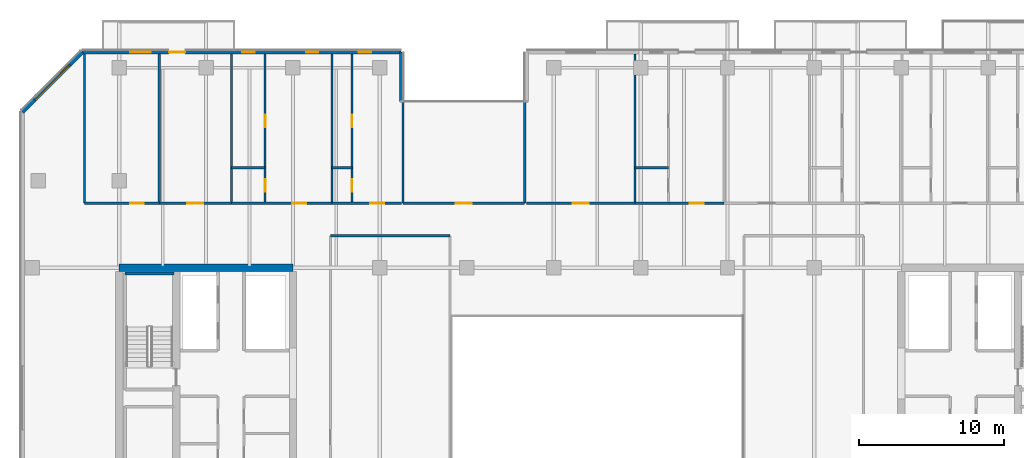
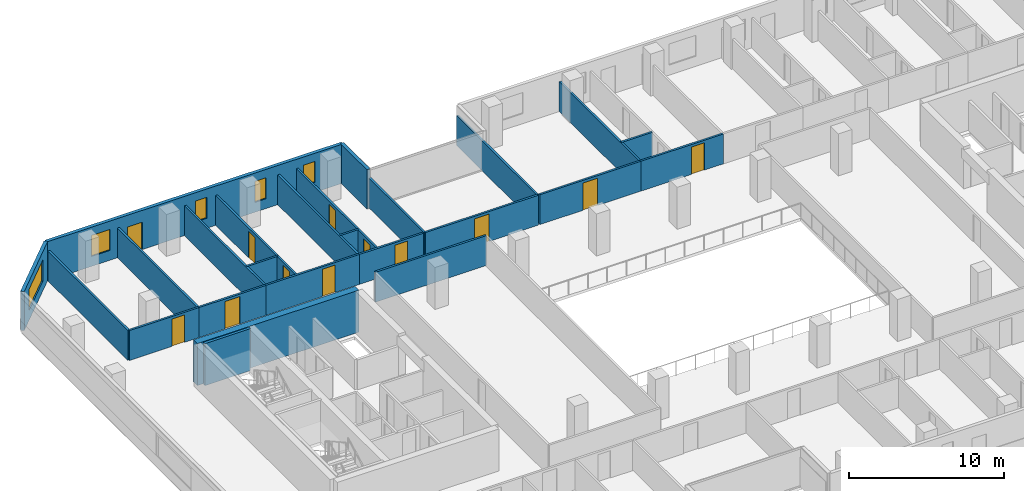
# One storey, part 13 of 23: 25 walls, 12 doors, 5 windows, 17 openings.
"""IFC4 building model written with IfcOpenShell, lengths in metres."""

from ifc_helpers import new_model, si_unit, direction, frame, frame_2d, origin, place, context, subcontext, project, spatial, rectangle, extrude, material, layer, layer_set, type_object, element, fill, save


model = new_model("IFC4")

# Units and contexts
model_context = context("Model", 3, precision=1e-05, world=origin(), true_north=direction((0.0, 1.0)))
body_context = subcontext(model_context, "Body", "Model", "MODEL_VIEW")
ifc_project = project(units=[si_unit("LENGTHUNIT", "METRE"), si_unit("AREAUNIT", "SQUARE_METRE"), si_unit("VOLUMEUNIT", "CUBIC_METRE"), si_unit("PLANEANGLEUNIT", "RADIAN"), si_unit("MASSUNIT", "GRAM", prefix="KILO")], contexts=[model_context])

# Site, building, storey
site_placement = place(None, origin())
site = spatial("IfcSite", under=ifc_project, at=site_placement, CompositionType="ELEMENT")
building_placement = place(site_placement, origin())
building = spatial("IfcBuilding", under=site, at=building_placement, Name="Tanjung Sevakor Pilgrim Tower", CompositionType="ELEMENT")
storey_placement = place(building_placement, frame((0.0, 0.0, 98.669921875)))
storey = spatial("IfcBuildingStorey", under=building, at=storey_placement, Name="L27", CompositionType="ELEMENT", Elevation=98.669921875)

# Walls
ifc_material_1 = material(Name="Concrete C60/75", Category="concrete")
ifc_layer_1 = layer(ifc_material_1, 0.5)
ifc_layer_set_1 = layer_set([ifc_layer_1], Name="WALL-CW-500")
wall_type_1 = type_object("IfcWallType", Name="WALL-CW-500", PredefinedType="SHEAR", material=ifc_layer_set_1)
wall_1_placement = place(storey_placement, frame((36.0, 42.60009765625, 0.0), z_axis=(0.0, 0.0, 1.0), x_axis=(-1.0, 0.0, 0.0)))
element("IfcWall", 1, at=wall_1_placement, inside=storey, type_object=wall_type_1, Name="L27 W Core North Shear Wall", PredefinedType="SHEAR", context=body_context, shape_type="SweptSolid", body=[
    extrude(rectangle(XDim=12.0, YDim=0.5, at=frame_2d((6.0, 0.0))), origin(), (0.0, 0.0, 1.0), 3.300048828125),
])
ifc_material_2 = material(Name="Concrete C40/50", Category="concrete")
ifc_layer_2 = layer(ifc_material_2, 0.14990234375)
ifc_layer_set_2 = layer_set([ifc_layer_2], Name="WT-COMP-150")
wall_type_2 = type_object("IfcWallType", Name="WT-COMP-150", PredefinedType="SOLIDWALL", material=ifc_layer_set_2)
wall_2_placement = place(storey_placement, frame((38.60009765625, 44.800048828125, 0.0), z_axis=(0.0, 0.0, 1.0), x_axis=(1.0, 0.0, 0.0)))
element("IfcWall", 2, at=wall_2_placement, inside=storey, type_object=wall_type_2, Name="L27 Partition IW-L27-026", PredefinedType="SOLIDWALL", context=body_context, shape_type="SweptSolid", body=[
    extrude(rectangle(XDim=8.25, YDim=0.14990234375, at=frame_2d((4.125, 0.0))), origin(), (0.0, 0.0, 1.0), 2.35009765625),
])

# Wall, opening, door
wall_3_placement = place(storey_placement, frame((43.60009765625, 47.050048828125, 0.0), z_axis=(0.0, 0.0, 1.0), x_axis=(1.0, 0.0, 0.0)))
wall_3 = element("IfcWall", 3, at=wall_3_placement, inside=storey, type_object=wall_type_2, Name="L27 Partition IW-L27-044", PredefinedType="SOLIDWALL", context=body_context, shape_type="SweptSolid", body=[
    extrude(rectangle(XDim=8.39990234375, YDim=0.14990234375, at=frame_2d((4.199951171875, 0.0))), origin(), (0.0, 0.0, 1.0), 2.35009765625),
])
opening_1_placement = place(wall_3_placement, frame((3.64990234375, 0.0, 0.0)))
opening_1 = element("IfcOpeningElement", 4, at=opening_1_placement, cuts=wall_3, Name="Opening ID-RM2", PredefinedType="OPENING", context=body_context, shape_type="SweptSolid", body=[
    extrude(rectangle(XDim=1.10009765625, YDim=2.14990234375, at=frame_2d((0.550048828125, 1.074951171875))), frame((0.0, 0.0849609375, 0.0), z_axis=(0.0, -1.0, 0.0), x_axis=(1.0, 0.0, 0.0)), (0.0, 0.0, 1.0), 0.169921875),
])
ifc_material_3 = material(Name="Hardwood Timber", Category="wood")
door_type_1 = type_object("IfcDoorType", Name="DT-INT-1100", OperationType="NOTDEFINED", PredefinedType="DOOR", material=ifc_material_3)
door_1_placement = place(opening_1_placement, origin())
door_1 = element("IfcDoor", 5, at=door_1_placement, inside=storey, type_object=door_type_1, Name="L27 North Cleft Prayer Room Door", OperationType="SINGLE_SWING_RIGHT", OverallHeight=2.14990234375, OverallWidth=1.10009765625, PredefinedType="DOOR", context=body_context, shape_type="SweptSolid", body=[
    extrude(rectangle(XDim=1.10009765625, YDim=2.14990234375, at=frame_2d((0.550048828125, 1.074951171875))), frame((0.0, 0.02490234375, 0.0), z_axis=(0.0, -1.0, 0.0), x_axis=(1.0, 0.0, 0.0)), (0.0, 0.0, 1.0), 0.050048828125),
])
fill(opening_1, door_1)

# Walls
for number, where, z_axis, x_axis, name in (
    (6, (43.60009765625, 47.050048828125, 0.0), (0.0, 0.0, 1.0), (0.0, 1.0, 0.0), "L27 Partition IW-L27-045"),
    (7, (52.0, 47.050048828125, 0.0), (0.0, 0.0, 1.0), (0.0, 1.0, 0.0), "L27 Partition IW-L27-046"),
    (8, (21.60009765625, 47.050048828125, 0.0), (0.0, 0.0, 1.0), (0.0, 1.0, 0.0), "L27 Partition IW-L27-080"),
    (9, (26.770751953125, 47.050048828125, 0.0), (0.0, 0.0, 1.0), (0.0, 1.0, 0.0), "L27 Partition IW-L27-081"),
):
    element("IfcWall", number, at=place(storey_placement, frame(where, z_axis=z_axis, x_axis=x_axis)), inside=storey, type_object=wall_type_2, Name=name, PredefinedType="SOLIDWALL", context=body_context, shape_type="SweptSolid", body=[
        extrude(rectangle(XDim=10.300048828125, YDim=0.14990234375, at=frame_2d((5.14990234375, 0.0))), origin(), (0.0, 0.0, 1.0), 2.35009765625),
    ])

# Wall, opening, door
wall_4_placement = place(storey_placement, frame((21.60009765625, 47.050048828125, 0.0), z_axis=(0.0, 0.0, 1.0), x_axis=(1.0, 0.0, 0.0)))
wall_4 = element("IfcWall", 10, at=wall_4_placement, inside=storey, type_object=wall_type_2, Name="L27 Partition IW-L27-082", PredefinedType="SOLIDWALL", context=body_context, shape_type="SweptSolid", body=[
    extrude(rectangle(XDim=5.170654296875, YDim=0.14990234375, at=frame_2d((2.58544921875, 0.0))), origin(), (0.0, 0.0, 1.0), 2.35009765625),
])
opening_2_placement = place(wall_4_placement, frame((3.160400390625, 0.0, 0.0)))
opening_2 = element("IfcOpeningElement", 11, at=opening_2_placement, cuts=wall_4, Name="Opening ID-FD2", PredefinedType="OPENING", context=body_context, shape_type="SweptSolid", body=[
    extrude(rectangle(XDim=0.949951171875, YDim=2.14990234375, at=frame_2d((0.47509765625, 1.074951171875))), frame((0.0, 0.0849609375, 0.0), z_axis=(0.0, -1.0, 0.0), x_axis=(1.0, 0.0, 0.0)), (0.0, 0.0, 1.0), 0.169921875),
])
ifc_material_4 = material(Name="Fire-Rated Timber", Category="wood")
door_type_2 = type_object("IfcDoorType", Name="DT-FIRE-950", OperationType="NOTDEFINED", PredefinedType="DOOR", material=ifc_material_4)
door_2_placement = place(opening_2_placement, origin())
door_2 = element("IfcDoor", 12, at=door_2_placement, inside=storey, type_object=door_type_2, Name="Study Room Entrance", OperationType="SINGLE_SWING_LEFT", OverallHeight=2.14990234375, OverallWidth=0.949951171875, PredefinedType="DOOR", context=body_context, shape_type="SweptSolid", body=[
    extrude(rectangle(XDim=0.949951171875, YDim=2.14990234375, at=frame_2d((0.47509765625, 1.074951171875))), frame((0.0, 0.02490234375, 0.0), z_axis=(0.0, -1.0, 0.0), x_axis=(1.0, 0.0, 0.0)), (0.0, 0.0, 1.0), 0.050048828125),
])
fill(opening_2, door_2)

# Wall
wall_5_placement = place(storey_placement, frame((31.75, 47.050048828125, 0.0), z_axis=(0.0, 0.0, 1.0), x_axis=(0.0, 1.0, 0.0)))
element("IfcWall", 13, at=wall_5_placement, inside=storey, type_object=wall_type_2, Name="L27 Partition IW-L27-083", PredefinedType="SOLIDWALL", context=body_context, shape_type="SweptSolid", body=[
    extrude(rectangle(XDim=10.300048828125, YDim=0.14990234375, at=frame_2d((5.14990234375, 0.0))), origin(), (0.0, 0.0, 1.0), 2.35009765625),
])

# Wall, opening, door
wall_6_placement = place(storey_placement, frame((26.770751953125, 47.050048828125, 0.0), z_axis=(0.0, 0.0, 1.0), x_axis=(1.0, 0.0, 0.0)))
wall_6 = element("IfcWall", 14, at=wall_6_placement, inside=storey, type_object=wall_type_2, Name="L27 Partition IW-L27-084", PredefinedType="SOLIDWALL", context=body_context, shape_type="SweptSolid", body=[
    extrude(rectangle(XDim=4.979248046875, YDim=0.14990234375, at=frame_2d((2.48974609375, 0.0))), origin(), (0.0, 0.0, 1.0), 2.35009765625),
])
opening_3_placement = place(wall_6_placement, frame((1.939697265625, 0.0, 0.0)))
opening_3 = element("IfcOpeningElement", 15, at=opening_3_placement, cuts=wall_6, Name="Opening ID-FD0", PredefinedType="OPENING", context=body_context, shape_type="SweptSolid", body=[
    extrude(rectangle(XDim=1.10009765625, YDim=2.14990234375, at=frame_2d((0.550048828125, 1.074951171875))), frame((0.0, 0.0849609375, 0.0), z_axis=(0.0, -1.0, 0.0), x_axis=(1.0, 0.0, 0.0)), (0.0, 0.0, 1.0), 0.169921875),
])
ifc_material_5 = material(Name="Fire-Rated Steel S355J2", Category="steel")
door_type_3 = type_object("IfcDoorType", Name="DT-FIRE-1100", OperationType="NOTDEFINED", PredefinedType="DOOR", material=ifc_material_5)
door_3_placement = place(opening_3_placement, origin())
door_3 = element("IfcDoor", 16, at=door_3_placement, inside=storey, type_object=door_type_3, Name="Seminar Room Door", OperationType="SINGLE_SWING_RIGHT", OverallHeight=2.14990234375, OverallWidth=1.10009765625, PredefinedType="DOOR", context=body_context, shape_type="SweptSolid", body=[
    extrude(rectangle(XDim=1.10009765625, YDim=2.14990234375, at=frame_2d((0.550048828125, 1.074951171875))), frame((0.0, 0.02490234375, 0.0), z_axis=(0.0, -1.0, 0.0), x_axis=(1.0, 0.0, 0.0)), (0.0, 0.0, 1.0), 0.050048828125),
])
fill(opening_3, door_3)

# Wall
wall_7_placement = place(storey_placement, frame((38.6923828125, 47.050048828125, 0.0), z_axis=(0.0, 0.0, 1.0), x_axis=(0.0, 1.0, 0.0)))
element("IfcWall", 17, at=wall_7_placement, inside=storey, type_object=wall_type_2, Name="L27 Partition IW-L27-085", PredefinedType="SOLIDWALL", context=body_context, shape_type="SweptSolid", body=[
    extrude(rectangle(XDim=10.300048828125, YDim=0.14990234375, at=frame_2d((5.14990234375, 0.0))), origin(), (0.0, 0.0, 1.0), 2.35009765625),
])

# Wall, opening, door
wall_8_placement = place(storey_placement, frame((31.75, 47.050048828125, 0.0), z_axis=(0.0, 0.0, 1.0), x_axis=(1.0, 0.0, 0.0)))
wall_8 = element("IfcWall", 18, at=wall_8_placement, inside=storey, type_object=wall_type_2, Name="L27 Partition IW-L27-088", PredefinedType="SOLIDWALL", context=body_context, shape_type="SweptSolid", body=[
    extrude(rectangle(XDim=6.9423828125, YDim=0.14990234375, at=frame_2d((3.47119140625, 0.0))), origin(), (0.0, 0.0, 1.0), 2.35009765625),
])
opening_4_placement = place(wall_8_placement, frame((4.201171875, 0.0, 0.0)))
opening_4 = element("IfcOpeningElement", 19, at=opening_4_placement, cuts=wall_8, Name="Opening ID-FD2", PredefinedType="OPENING", context=body_context, shape_type="SweptSolid", body=[
    extrude(rectangle(XDim=0.949951171875, YDim=2.14990234375, at=frame_2d((0.47509765625, 1.074951171875))), frame((0.0, 0.0849609375, 0.0), z_axis=(0.0, -1.0, 0.0), x_axis=(1.0, 0.0, 0.0)), (0.0, 0.0, 1.0), 0.169921875),
])
door_4_placement = place(opening_4_placement, origin())
door_4 = element("IfcDoor", 20, at=door_4_placement, inside=storey, type_object=door_type_2, Name="Hostel Quad Entrance", OperationType="SINGLE_SWING_LEFT", OverallHeight=2.14990234375, OverallWidth=0.949951171875, PredefinedType="DOOR", context=body_context, shape_type="SweptSolid", body=[
    extrude(rectangle(XDim=0.949951171875, YDim=2.14990234375, at=frame_2d((0.47509765625, 1.074951171875))), frame((0.0, 0.02490234375, 0.0), z_axis=(0.0, -1.0, 0.0), x_axis=(1.0, 0.0, 0.0)), (0.0, 0.0, 1.0), 0.050048828125),
])
fill(opening_4, door_4)

wall_9_placement = place(storey_placement, frame((38.6923828125, 47.050048828125, 0.0), z_axis=(0.0, 0.0, 1.0), x_axis=(1.0, 0.0, 0.0)))
wall_9 = element("IfcWall", 21, at=wall_9_placement, inside=storey, type_object=wall_type_2, Name="L27 Partition IW-L27-091", PredefinedType="SOLIDWALL", context=body_context, shape_type="SweptSolid", body=[
    extrude(rectangle(XDim=4.78759765625, YDim=0.14990234375, at=frame_2d((2.393798828125, 0.0))), origin(), (0.0, 0.0, 1.0), 2.35009765625),
])
opening_5_placement = place(wall_9_placement, frame((2.652587890625, 0.0, 0.0)))
opening_5 = element("IfcOpeningElement", 22, at=opening_5_placement, cuts=wall_9, Name="Opening ID-FD2", PredefinedType="OPENING", context=body_context, shape_type="SweptSolid", body=[
    extrude(rectangle(XDim=0.949951171875, YDim=2.14990234375, at=frame_2d((0.47509765625, 1.074951171875))), frame((0.0, 0.0849609375, 0.0), z_axis=(0.0, -1.0, 0.0), x_axis=(1.0, 0.0, 0.0)), (0.0, 0.0, 1.0), 0.169921875),
])
door_5_placement = place(opening_5_placement, origin())
door_5 = element("IfcDoor", 23, at=door_5_placement, inside=storey, type_object=door_type_2, Name="Hostel Quad Entrance", OperationType="SINGLE_SWING_RIGHT", OverallHeight=2.14990234375, OverallWidth=0.949951171875, PredefinedType="DOOR", context=body_context, shape_type="SweptSolid", body=[
    extrude(rectangle(XDim=0.949951171875, YDim=2.14990234375, at=frame_2d((0.47509765625, 1.074951171875))), frame((0.0, 0.02490234375, 0.0), z_axis=(0.0, -1.0, 0.0), x_axis=(1.0, 0.0, 0.0)), (0.0, 0.0, 1.0), 0.050048828125),
])
fill(opening_5, door_5)

# Wall
wall_10_placement = place(storey_placement, frame((59.622802734375, 47.050048828125, 0.0), z_axis=(0.0, 0.0, 1.0), x_axis=(0.0, 1.0, 0.0)))
element("IfcWall", 24, at=wall_10_placement, inside=storey, type_object=wall_type_2, Name="L27 Partition IW-L27-093", PredefinedType="SOLIDWALL", context=body_context, shape_type="SweptSolid", body=[
    extrude(rectangle(XDim=10.300048828125, YDim=0.14990234375, at=frame_2d((5.14990234375, 0.0))), origin(), (0.0, 0.0, 1.0), 2.35009765625),
])

# Wall, opening, door
wall_11_placement = place(storey_placement, frame((52.1201171875, 47.050048828125, 0.0), z_axis=(0.0, 0.0, 1.0), x_axis=(1.0, 0.0, 0.0)))
wall_11 = element("IfcWall", 25, at=wall_11_placement, inside=storey, type_object=wall_type_2, Name="L27 Partition IW-L27-094", PredefinedType="SOLIDWALL", context=body_context, shape_type="SweptSolid", body=[
    extrude(rectangle(XDim=7.502685546875, YDim=0.14990234375, at=frame_2d((3.75146484375, 0.0))), origin(), (0.0, 0.0, 1.0), 2.35009765625),
])
opening_6_placement = place(wall_11_placement, frame((3.201416015625, 0.0, 0.0)))
opening_6 = element("IfcOpeningElement", 26, at=opening_6_placement, cuts=wall_11, Name="Opening ID-FD0", PredefinedType="OPENING", context=body_context, shape_type="SweptSolid", body=[
    extrude(rectangle(XDim=1.10009765625, YDim=2.14990234375, at=frame_2d((0.550048828125, 1.074951171875))), frame((0.0, 0.0849609375, 0.0), z_axis=(0.0, -1.0, 0.0), x_axis=(1.0, 0.0, 0.0)), (0.0, 0.0, 1.0), 0.169921875),
])
door_6_placement = place(opening_6_placement, origin())
door_6 = element("IfcDoor", 27, at=door_6_placement, inside=storey, type_object=door_type_3, Name="Council Room Door", OperationType="SINGLE_SWING_LEFT", OverallHeight=2.14990234375, OverallWidth=1.10009765625, PredefinedType="DOOR", context=body_context, shape_type="SweptSolid", body=[
    extrude(rectangle(XDim=1.10009765625, YDim=2.14990234375, at=frame_2d((0.550048828125, 1.074951171875))), frame((0.0, 0.02490234375, 0.0), z_axis=(0.0, -1.0, 0.0), x_axis=(1.0, 0.0, 0.0)), (0.0, 0.0, 1.0), 0.050048828125),
])
fill(opening_6, door_6)

wall_12_placement = place(storey_placement, frame((59.622802734375, 47.050048828125, 0.0), z_axis=(0.0, 0.0, 1.0), x_axis=(1.0, 0.0, 0.0)))
wall_12 = element("IfcWall", 28, at=wall_12_placement, inside=storey, type_object=wall_type_2, Name="L27 Partition IW-L27-098", PredefinedType="SOLIDWALL", context=body_context, shape_type="SweptSolid", body=[
    extrude(rectangle(XDim=6.138671875, YDim=0.14990234375, at=frame_2d((3.0693359375, 0.0))), origin(), (0.0, 0.0, 1.0), 2.35009765625),
])
opening_7_placement = place(wall_12_placement, frame((3.782958984375, 0.0, 0.0)))
opening_7 = element("IfcOpeningElement", 29, at=opening_7_placement, cuts=wall_12, Name="Opening ID-FD2", PredefinedType="OPENING", context=body_context, shape_type="SweptSolid", body=[
    extrude(rectangle(XDim=0.949951171875, YDim=2.14990234375, at=frame_2d((0.47509765625, 1.074951171875))), frame((0.0, 0.0849609375, 0.0), z_axis=(0.0, -1.0, 0.0), x_axis=(1.0, 0.0, 0.0)), (0.0, 0.0, 1.0), 0.169921875),
])
door_7_placement = place(opening_7_placement, origin())
door_7 = element("IfcDoor", 30, at=door_7_placement, inside=storey, type_object=door_type_2, Name="Hostel Quad Entrance", OperationType="SINGLE_SWING_RIGHT", OverallHeight=2.14990234375, OverallWidth=0.949951171875, PredefinedType="DOOR", context=body_context, shape_type="SweptSolid", body=[
    extrude(rectangle(XDim=0.949951171875, YDim=2.14990234375, at=frame_2d((0.47509765625, 1.074951171875))), frame((0.0, 0.02490234375, 0.0), z_axis=(0.0, -1.0, 0.0), x_axis=(1.0, 0.0, 0.0)), (0.0, 0.0, 1.0), 0.050048828125),
])
fill(opening_7, door_7)

# Wall
ifc_material_6 = material(Name="Precast concrete C45/55", Category="concrete")
ifc_layer_3 = layer(ifc_material_6, 0.25)
ifc_layer_set_3 = layer_set([ifc_layer_3], Name="WT-EW-STN3")
wall_type_3 = type_object("IfcWallType", Name="WT-EW-STN3", PredefinedType="SOLIDWALL", material=ifc_layer_set_3)
wall_13_placement = place(storey_placement, frame((43.47509765625, 54.074951171875, 0.0), z_axis=(0.0, 0.0, 1.0), x_axis=(0.0, 1.0, 0.0)))
element("IfcWall", 31, at=wall_13_placement, inside=storey, type_object=wall_type_3, Name="L27 MAIN Exterior Wall 12", PredefinedType="SOLIDWALL", context=body_context, shape_type="SweptSolid", body=[
    extrude(rectangle(XDim=3.400146484375, YDim=0.25, at=frame_2d((1.7001953125, 0.0))), origin(), (0.0, 0.0, 1.0), 3.080078125),
])

# Wall, openings, door, windows
wall_14_placement = place(storey_placement, frame((43.47509765625, 57.47509765625, 0.0), z_axis=(0.0, 0.0, 1.0), x_axis=(-1.0, 0.0, 0.0)))
wall_14 = element("IfcWall", 32, at=wall_14_placement, inside=storey, type_object=wall_type_3, Name="L27 MAIN Exterior Wall 13", PredefinedType="SOLIDWALL", context=body_context, shape_type="SweptSolid", body=[
    extrude(rectangle(XDim=22.023193359375, YDim=0.25, at=frame_2d((11.01171875, 0.0))), origin(), (0.0, 0.0, 1.0), 3.080078125),
])
opening_8_placement = place(wall_14_placement, frame((14.925048828125, 0.0, 0.0)))
opening_8 = element("IfcOpeningElement", 33, at=opening_8_placement, cuts=wall_14, Name="Opening ED-BAL-1100", PredefinedType="OPENING", context=body_context, shape_type="SweptSolid", body=[
    extrude(rectangle(XDim=1.10009765625, YDim=2.14990234375, at=frame_2d((0.550048828125, 1.074951171875))), frame((0.0, 0.135009765625, 0.0), z_axis=(0.0, -1.0, 0.0), x_axis=(1.0, 0.0, 0.0)), (0.0, 0.0, 1.0), 0.27001953125),
])
opening_9_placement = place(wall_14_placement, frame((17.3095703125, 0.0, 0.780029296875)))
opening_9 = element("IfcOpeningElement", 34, at=opening_9_placement, cuts=wall_14, Name="Opening WN-END", PredefinedType="OPENING", context=body_context, shape_type="SweptSolid", body=[
    extrude(rectangle(XDim=1.39990234375, YDim=1.64990234375, at=frame_2d((0.699951171875, 0.824951171875))), frame((0.0, 0.135009765625, 0.0), z_axis=(0.0, -1.0, 0.0), x_axis=(1.0, 0.0, 0.0)), (0.0, 0.0, 1.0), 0.27001953125),
])
opening_10_placement = place(wall_14_placement, frame((10.125, 0.0, 0.780029296875)))
opening_10 = element("IfcOpeningElement", 35, at=opening_10_placement, cuts=wall_14, Name="Opening WN-SLM", PredefinedType="OPENING", context=body_context, shape_type="SweptSolid", body=[
    extrude(rectangle(XDim=0.85009765625, YDim=1.64990234375, at=frame_2d((0.425048828125, 0.824951171875))), frame((0.0, 0.135009765625, 0.0), z_axis=(0.0, -1.0, 0.0), x_axis=(1.0, 0.0, 0.0)), (0.0, 0.0, 1.0), 0.27001953125),
])
opening_11_placement = place(wall_14_placement, frame((5.7138671875, 0.0, 0.780029296875)))
opening_11 = element("IfcOpeningElement", 36, at=opening_11_placement, cuts=wall_14, Name="Opening WN-SLM", PredefinedType="OPENING", context=body_context, shape_type="SweptSolid", body=[
    extrude(rectangle(XDim=0.85009765625, YDim=1.64990234375, at=frame_2d((0.425048828125, 0.824951171875))), frame((0.0, 0.135009765625, 0.0), z_axis=(0.0, -1.0, 0.0), x_axis=(1.0, 0.0, 0.0)), (0.0, 0.0, 1.0), 0.27001953125),
])
opening_12_placement = place(wall_14_placement, frame((2.080078125, 0.0, 0.780029296875)))
opening_12 = element("IfcOpeningElement", 37, at=opening_12_placement, cuts=wall_14, Name="Opening WN-SLM", PredefinedType="OPENING", context=body_context, shape_type="SweptSolid", body=[
    extrude(rectangle(XDim=0.85009765625, YDim=1.64990234375, at=frame_2d((0.425048828125, 0.824951171875))), frame((0.0, 0.135009765625, 0.0), z_axis=(0.0, -1.0, 0.0), x_axis=(1.0, 0.0, 0.0)), (0.0, 0.0, 1.0), 0.27001953125),
])
ifc_material_7 = material(Name="Anodised Aluminium and Laminated Glass", Category="aluminium")
door_type_4 = type_object("IfcDoorType", Name="DTYP-ED-BAL-1100", OperationType="NOTDEFINED", PredefinedType="DOOR", material=ifc_material_7)
door_8_placement = place(opening_8_placement, frame((1.10009765625, 0.0, 0.0), z_axis=(0.0, 0.0, 1.0), x_axis=(-1.0, 0.0, 0.0)))
door_8 = element("IfcDoor", 38, at=door_8_placement, inside=storey, type_object=door_type_4, Name="L27 Balcony Door MAIN-N1", OperationType="SINGLE_SWING_LEFT", OverallHeight=2.14990234375, OverallWidth=1.10009765625, PredefinedType="DOOR", context=body_context, shape_type="SweptSolid", body=[
    extrude(rectangle(XDim=1.10009765625, YDim=2.14990234375, at=frame_2d((0.550048828125, 1.074951171875))), frame((0.0, 0.02490234375, 0.0), z_axis=(0.0, -1.0, 0.0), x_axis=(1.0, 0.0, 0.0)), (0.0, 0.0, 1.0), 0.050048828125),
])
fill(opening_8, door_8)
ifc_material_8 = material(Name="Thermally Broken Aluminium and Low-E Glass", Category="aluminium")
window_type_1 = type_object("IfcWindowType", Name="WTYP-WN-END", PartitioningType="SINGLE_PANEL", PredefinedType="WINDOW", material=ifc_material_8)
window_1_placement = place(opening_9_placement, origin())
window_1 = element("IfcWindow", 39, at=window_1_placement, inside=storey, type_object=window_type_1, Name="L27 Facade Window 01", OverallHeight=1.64990234375, OverallWidth=1.39990234375, PartitioningType="SINGLE_PANEL", PredefinedType="WINDOW", context=body_context, shape_type="SweptSolid", body=[
    extrude(rectangle(XDim=1.39990234375, YDim=1.64990234375, at=frame_2d((0.699951171875, 0.824951171875))), frame((0.0, 0.030029296875, 0.0), z_axis=(0.0, -1.0, 0.0), x_axis=(1.0, 0.0, 0.0)), (0.0, 0.0, 1.0), 0.06005859375),
])
fill(opening_9, window_1)
ifc_material_9 = material(Name="Thermally Broken Aluminium and Low-E Glass", Category="aluminium")
window_type_2 = type_object("IfcWindowType", Name="WTYP-WN-SLM", PartitioningType="SINGLE_PANEL", PredefinedType="WINDOW", material=ifc_material_9)
window_2_placement = place(opening_10_placement, origin())
window_2 = element("IfcWindow", 40, at=window_2_placement, inside=storey, type_object=window_type_2, Name="L27 Facade Window 02", OverallHeight=1.64990234375, OverallWidth=0.85009765625, PartitioningType="SINGLE_PANEL", PredefinedType="WINDOW", context=body_context, shape_type="SweptSolid", body=[
    extrude(rectangle(XDim=0.85009765625, YDim=1.64990234375, at=frame_2d((0.425048828125, 0.824951171875))), frame((0.0, 0.030029296875, 0.0), z_axis=(0.0, -1.0, 0.0), x_axis=(1.0, 0.0, 0.0)), (0.0, 0.0, 1.0), 0.06005859375),
])
fill(opening_10, window_2)
window_3_placement = place(opening_11_placement, origin())
window_3 = element("IfcWindow", 41, at=window_3_placement, inside=storey, type_object=window_type_2, Name="L27 Facade Window 03", OverallHeight=1.64990234375, OverallWidth=0.85009765625, PartitioningType="SINGLE_PANEL", PredefinedType="WINDOW", context=body_context, shape_type="SweptSolid", body=[
    extrude(rectangle(XDim=0.85009765625, YDim=1.64990234375, at=frame_2d((0.425048828125, 0.824951171875))), frame((0.0, 0.030029296875, 0.0), z_axis=(0.0, -1.0, 0.0), x_axis=(1.0, 0.0, 0.0)), (0.0, 0.0, 1.0), 0.06005859375),
])
fill(opening_11, window_3)
window_4_placement = place(opening_12_placement, origin())
window_4 = element("IfcWindow", 42, at=window_4_placement, inside=storey, type_object=window_type_2, Name="L27 Facade Window 04", OverallHeight=1.64990234375, OverallWidth=0.85009765625, PartitioningType="SINGLE_PANEL", PredefinedType="WINDOW", context=body_context, shape_type="SweptSolid", body=[
    extrude(rectangle(XDim=0.85009765625, YDim=1.64990234375, at=frame_2d((0.425048828125, 0.824951171875))), frame((0.0, 0.030029296875, 0.0), z_axis=(0.0, -1.0, 0.0), x_axis=(1.0, 0.0, 0.0)), (0.0, 0.0, 1.0), 0.06005859375),
])
fill(opening_12, window_4)

# Wall, opening, window
wall_15_placement = place(storey_placement, frame((21.451904296875, 57.47509765625, 0.0), z_axis=(0.0, 0.0, 1.0), x_axis=(-0.707106781187, -0.707106781187, 0.0)))
wall_15 = element("IfcWall", 43, at=wall_15_placement, inside=storey, type_object=wall_type_3, Name="L27 MAIN Sculpted Corner Wall 13", PredefinedType="SOLIDWALL", context=body_context, shape_type="SweptSolid", body=[
    extrude(rectangle(XDim=5.83642578125, YDim=0.25, at=frame_2d((2.918212890625, 0.0))), origin(), (0.0, 0.0, 1.0), 3.080078125),
])
opening_13_placement = place(wall_15_placement, frame((1.218017578125, 0.0, 0.780029296875)))
opening_13 = element("IfcOpeningElement", 44, at=opening_13_placement, cuts=wall_15, Name="Opening WN-CHM-1660", PredefinedType="OPENING", context=body_context, shape_type="SweptSolid", body=[
    extrude(rectangle(XDim=3.39990234375, YDim=1.659912109375, at=frame_2d((1.699951171875, 0.830078125))), frame((0.0, 0.135009765625, 0.0), z_axis=(0.0, -1.0, 0.0), x_axis=(1.0, 0.0, 0.0)), (0.0, 0.0, 1.0), 0.27001953125),
])
ifc_material_10 = material(Name="Thermally Broken Aluminium and Low-E Glass", Category="aluminium")
window_type_3 = type_object("IfcWindowType", Name="WTYP-WN-CHM-1660", PartitioningType="DOUBLE_PANEL_VERTICAL", PredefinedType="WINDOW", material=ifc_material_10)
window_5_placement = place(opening_13_placement, origin())
window_5 = element("IfcWindow", 45, at=window_5_placement, inside=storey, type_object=window_type_3, Name="L27 Facade Window 01", OverallHeight=1.659912109375, OverallWidth=3.39990234375, PartitioningType="SINGLE_PANEL", PredefinedType="WINDOW", context=body_context, shape_type="SweptSolid", body=[
    extrude(rectangle(XDim=3.39990234375, YDim=1.659912109375, at=frame_2d((1.699951171875, 0.830078125))), frame((0.0, 0.030029296875, 0.0), z_axis=(0.0, -1.0, 0.0), x_axis=(1.0, 0.0, 0.0)), (0.0, 0.0, 1.0), 0.06005859375),
])
fill(opening_13, window_5)

# Walls
ifc_material_11 = material(Name="Concrete C40/50", Category="concrete")
ifc_layer_4 = layer(ifc_material_11, 0.199951171875)
ifc_layer_set_4 = layer_set([ifc_layer_4], Name="WT-FIRE-200")
wall_type_4 = type_object("IfcWallType", Name="WT-FIRE-200", PredefinedType="SOLIDWALL", material=ifc_layer_set_4)
wall_16_placement = place(storey_placement, frame((27.800048828125, 42.199951171875, 0.0), z_axis=(0.0, 0.0, 1.0), x_axis=(-1.0, 0.0, 0.0)))
element("IfcWall", 46, at=wall_16_placement, inside=storey, type_object=wall_type_4, Name="L27 TS-W2 Shaft Wall 2", PredefinedType="SOLIDWALL", context=body_context, shape_type="SweptSolid", body=[
    extrude(rectangle(XDim=3.400146484375, YDim=0.199951171875, at=frame_2d((1.7001953125, 0.0))), origin(), (0.0, 0.0, 1.0), 3.300048828125),
])
ifc_material_12 = material(Name="Gypsum Board Partition", Category="gypsum board")
ifc_layer_5 = layer(ifc_material_12, 0.14990234375)
ifc_layer_set_5 = layer_set([ifc_layer_5], Name="WT-PART-150")
wall_type_5 = type_object("IfcWallType", Name="WT-PART-150", PredefinedType="PARTITIONING", material=ifc_layer_set_5)
wall_17_placement = place(storey_placement, frame((31.75, 49.5, 0.0), z_axis=(0.0, 0.0, 1.0), x_axis=(1.0, 0.0, 0.0)))
element("IfcWall", 47, at=wall_17_placement, inside=storey, type_object=wall_type_5, Name="L27 Partition IW-L27-086", PredefinedType="PARTITIONING", context=body_context, shape_type="SweptSolid", body=[
    extrude(rectangle(XDim=2.330078125, YDim=0.14990234375, at=frame_2d((1.1650390625, 0.0))), origin(), (0.0, 0.0, 1.0), 2.35009765625),
])

# Wall, openings, doors
wall_18_placement = place(storey_placement, frame((34.080078125, 47.050048828125, 0.0), z_axis=(0.0, 0.0, 1.0), x_axis=(0.0, 1.0, 0.0)))
wall_18 = element("IfcWall", 48, at=wall_18_placement, inside=storey, type_object=wall_type_5, Name="L27 Partition IW-L27-087", PredefinedType="PARTITIONING", context=body_context, shape_type="SweptSolid", body=[
    extrude(rectangle(XDim=10.300048828125, YDim=0.14990234375, at=frame_2d((5.14990234375, 0.0))), origin(), (0.0, 0.0, 1.0), 2.35009765625),
])
opening_14_placement = place(wall_18_placement, frame((0.800048828125, 0.0, 0.0)))
opening_14 = element("IfcOpeningElement", 49, at=opening_14_placement, cuts=wall_18, Name="Opening ID-WC1", PredefinedType="OPENING", context=body_context, shape_type="SweptSolid", body=[
    extrude(rectangle(XDim=0.85009765625, YDim=2.10009765625, at=frame_2d((0.425048828125, 1.050048828125))), frame((0.0, 0.0849609375, 0.0), z_axis=(0.0, -1.0, 0.0), x_axis=(1.0, 0.0, 0.0)), (0.0, 0.0, 1.0), 0.169921875),
])
opening_15_placement = place(wall_18_placement, frame((5.25, 0.0, 0.0)))
opening_15 = element("IfcOpeningElement", 50, at=opening_15_placement, cuts=wall_18, Name="Opening ID-WC1", PredefinedType="OPENING", context=body_context, shape_type="SweptSolid", body=[
    extrude(rectangle(XDim=0.85009765625, YDim=2.10009765625, at=frame_2d((0.425048828125, 1.050048828125))), frame((0.0, 0.0849609375, 0.0), z_axis=(0.0, -1.0, 0.0), x_axis=(1.0, 0.0, 0.0)), (0.0, 0.0, 1.0), 0.169921875),
])
ifc_material_13 = material(Name="Moisture-Resistant Timber", Category="wood")
door_type_5 = type_object("IfcDoorType", Name="DT-INT-850", OperationType="NOTDEFINED", PredefinedType="DOOR", material=ifc_material_13)
door_9_placement = place(opening_14_placement, origin())
door_9 = element("IfcDoor", 51, at=door_9_placement, inside=storey, type_object=door_type_5, Name="Bathroom Door", OperationType="SINGLE_SWING_LEFT", OverallHeight=2.10009765625, OverallWidth=0.85009765625, PredefinedType="DOOR", context=body_context, shape_type="SweptSolid", body=[
    extrude(rectangle(XDim=0.85009765625, YDim=2.10009765625, at=frame_2d((0.425048828125, 1.050048828125))), frame((0.0, 0.02490234375, 0.0), z_axis=(0.0, -1.0, 0.0), x_axis=(1.0, 0.0, 0.0)), (0.0, 0.0, 1.0), 0.050048828125),
])
fill(opening_14, door_9)
door_10_placement = place(opening_15_placement, origin())
door_10 = element("IfcDoor", 52, at=door_10_placement, inside=storey, type_object=door_type_5, Name="Study Nook Door", OperationType="SINGLE_SWING_RIGHT", OverallHeight=2.10009765625, OverallWidth=0.85009765625, PredefinedType="DOOR", context=body_context, shape_type="SweptSolid", body=[
    extrude(rectangle(XDim=0.85009765625, YDim=2.10009765625, at=frame_2d((0.425048828125, 1.050048828125))), frame((0.0, 0.02490234375, 0.0), z_axis=(0.0, -1.0, 0.0), x_axis=(1.0, 0.0, 0.0)), (0.0, 0.0, 1.0), 0.050048828125),
])
fill(opening_15, door_10)

# Wall
wall_19_placement = place(storey_placement, frame((38.6923828125, 49.5, 0.0), z_axis=(0.0, 0.0, 1.0), x_axis=(1.0, 0.0, 0.0)))
element("IfcWall", 53, at=wall_19_placement, inside=storey, type_object=wall_type_5, Name="L27 Partition IW-L27-089", PredefinedType="PARTITIONING", context=body_context, shape_type="SweptSolid", body=[
    extrude(rectangle(XDim=1.3876953125, YDim=0.14990234375, at=frame_2d((0.69384765625, 0.0))), origin(), (0.0, 0.0, 1.0), 2.35009765625),
])

# Wall, openings, doors
wall_20_placement = place(storey_placement, frame((40.080078125, 47.050048828125, 0.0), z_axis=(0.0, 0.0, 1.0), x_axis=(0.0, 1.0, 0.0)))
wall_20 = element("IfcWall", 54, at=wall_20_placement, inside=storey, type_object=wall_type_5, Name="L27 Partition IW-L27-090", PredefinedType="PARTITIONING", context=body_context, shape_type="SweptSolid", body=[
    extrude(rectangle(XDim=10.300048828125, YDim=0.14990234375, at=frame_2d((5.14990234375, 0.0))), origin(), (0.0, 0.0, 1.0), 2.35009765625),
])
opening_16_placement = place(wall_20_placement, frame((0.800048828125, 0.0, 0.0)))
opening_16 = element("IfcOpeningElement", 55, at=opening_16_placement, cuts=wall_20, Name="Opening ID-WC1", PredefinedType="OPENING", context=body_context, shape_type="SweptSolid", body=[
    extrude(rectangle(XDim=0.85009765625, YDim=2.10009765625, at=frame_2d((0.425048828125, 1.050048828125))), frame((0.0, 0.0849609375, 0.0), z_axis=(0.0, -1.0, 0.0), x_axis=(1.0, 0.0, 0.0)), (0.0, 0.0, 1.0), 0.169921875),
])
opening_17_placement = place(wall_20_placement, frame((5.25, 0.0, 0.0)))
opening_17 = element("IfcOpeningElement", 56, at=opening_17_placement, cuts=wall_20, Name="Opening ID-WC1", PredefinedType="OPENING", context=body_context, shape_type="SweptSolid", body=[
    extrude(rectangle(XDim=0.85009765625, YDim=2.10009765625, at=frame_2d((0.425048828125, 1.050048828125))), frame((0.0, 0.0849609375, 0.0), z_axis=(0.0, -1.0, 0.0), x_axis=(1.0, 0.0, 0.0)), (0.0, 0.0, 1.0), 0.169921875),
])
door_11_placement = place(opening_16_placement, origin())
door_11 = element("IfcDoor", 57, at=door_11_placement, inside=storey, type_object=door_type_5, Name="Bathroom Door", OperationType="SINGLE_SWING_RIGHT", OverallHeight=2.10009765625, OverallWidth=0.85009765625, PredefinedType="DOOR", context=body_context, shape_type="SweptSolid", body=[
    extrude(rectangle(XDim=0.85009765625, YDim=2.10009765625, at=frame_2d((0.425048828125, 1.050048828125))), frame((0.0, 0.02490234375, 0.0), z_axis=(0.0, -1.0, 0.0), x_axis=(1.0, 0.0, 0.0)), (0.0, 0.0, 1.0), 0.050048828125),
])
fill(opening_16, door_11)
door_12_placement = place(opening_17_placement, origin())
door_12 = element("IfcDoor", 58, at=door_12_placement, inside=storey, type_object=door_type_5, Name="Study Nook Door", OperationType="SINGLE_SWING_LEFT", OverallHeight=2.10009765625, OverallWidth=0.85009765625, PredefinedType="DOOR", context=body_context, shape_type="SweptSolid", body=[
    extrude(rectangle(XDim=0.85009765625, YDim=2.10009765625, at=frame_2d((0.425048828125, 1.050048828125))), frame((0.0, 0.02490234375, 0.0), z_axis=(0.0, -1.0, 0.0), x_axis=(1.0, 0.0, 0.0)), (0.0, 0.0, 1.0), 0.050048828125),
])
fill(opening_17, door_12)

# Wall
wall_21_placement = place(storey_placement, frame((59.622802734375, 49.5, 0.0), z_axis=(0.0, 0.0, 1.0), x_axis=(1.0, 0.0, 0.0)))
element("IfcWall", 59, at=wall_21_placement, inside=storey, type_object=wall_type_5, Name="L27 Partition IW-L27-096", PredefinedType="PARTITIONING", context=body_context, shape_type="SweptSolid", body=[
    extrude(rectangle(XDim=2.297119140625, YDim=0.14990234375, at=frame_2d((1.1484375, 0.0))), origin(), (0.0, 0.0, 1.0), 2.35009765625),
])

save(model, "model.ifc")
